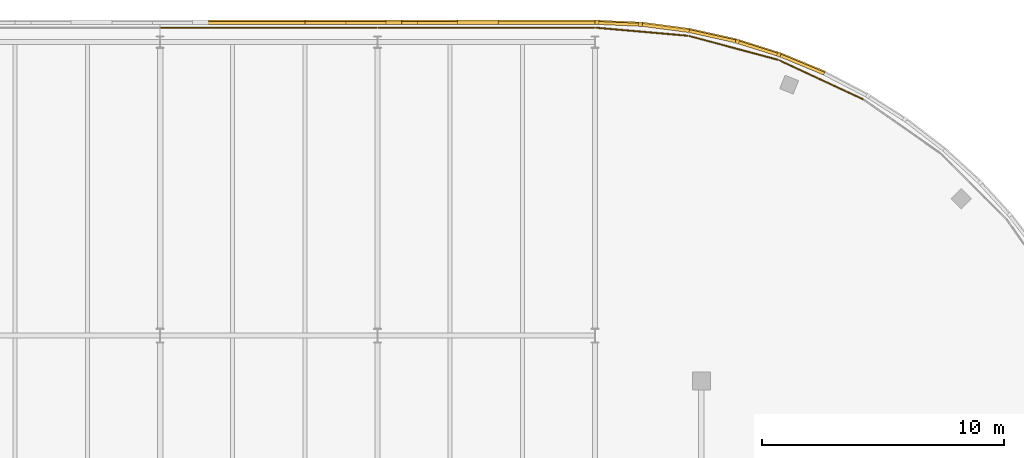
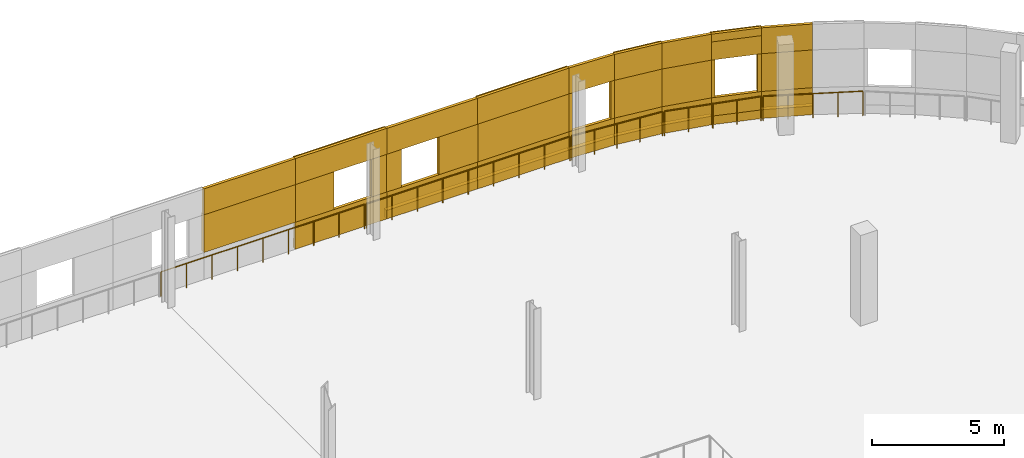
# One storey, part 84 of 88: 42 coverings, 5 railings.
"""IFC4 building model written with IfcOpenShell, lengths in metres."""

from ifc_helpers import new_model, si_unit, direction, frame, origin, origin_2d, place, context, subcontext, project, spatial, rectangle, circle, extrude, material, layer, layer_set, type_object, element, save


model = new_model("IFC4")

# Units and contexts
model_context = context("Model", 3, precision=1e-05, world=origin(), true_north=direction((0.0, 1.0)))
body_context = subcontext(model_context, "Body", "Model", "MODEL_VIEW")
ifc_project = project(units=[si_unit("LENGTHUNIT", "METRE"), si_unit("AREAUNIT", "SQUARE_METRE"), si_unit("VOLUMEUNIT", "CUBIC_METRE"), si_unit("PLANEANGLEUNIT", "RADIAN"), si_unit("MASSUNIT", "GRAM", prefix="KILO")], contexts=[model_context])

# Site, building, storey
site_placement = place(None, origin())
site = spatial("IfcSite", under=ifc_project, at=site_placement, CompositionType="ELEMENT")
building_placement = place(site_placement, origin())
building = spatial("IfcBuilding", under=site, at=building_placement, Name="Deido Ridge Mobility Hub", CompositionType="ELEMENT")
storey_placement = place(building_placement, frame((0.0, 0.0, 16.800048828125)))
storey = spatial("IfcBuildingStorey", under=building, at=storey_placement, Name="L04", CompositionType="ELEMENT", Elevation=16.800048828125)

# Coverings
ifc_material_1 = material(Name="Fired clay brick masonry", Category="masonry")
ifc_layer = layer(ifc_material_1, 0.114990234375, Name="Fired clay brick masonry")
ifc_layer_set = layer_set([ifc_layer], Name="Fired clay brick masonry")
covering_type = type_object("IfcCoveringType", Name="COV-BRK-SCREEN-115", PredefinedType="CLADDING", material=ifc_layer_set)
covering_1_placement = place(storey_placement, frame((125.58203125, 124.218994140625, 0.0), z_axis=(0.0, 0.0, 1.0), x_axis=(-0.923872853285, 0.382699557047, 0.0)))
element("IfcCovering", 1, at=covering_1_placement, inside=storey, type_object=covering_type, Name="Open brickwork spandrel course BKS1 (L04)", PredefinedType="CLADDING", context=body_context, shape_type="SweptSolid", body=[
    extrude(rectangle(XDim=1.9619140625, YDim=0.125, at=origin_2d()), origin(), (0.0, 0.0, 1.0), 1.25),
])
covering_2_placement = place(storey_placement, frame((125.5927734375, 124.244384765625, 0.0), z_axis=(0.0, 0.0, 1.0), x_axis=(-0.923872853285, 0.382699557047, 0.0)))
element("IfcCovering", 2, at=covering_2_placement, inside=storey, type_object=covering_type, Name="Raised brick relief belt BKS1 (L04)", PredefinedType="CLADDING", context=body_context, shape_type="SweptSolid", body=[
    extrude(rectangle(XDim=1.9619140625, YDim=0.179931640625, at=origin_2d()), origin(), (0.0, 0.0, 1.0), 0.39990234375),
])
covering_3_placement = place(storey_placement, frame((125.58203125, 124.218994140625, 3.0), z_axis=(0.0, 0.0, 1.0), x_axis=(-0.923872853285, 0.382699557047, 0.0)))
element("IfcCovering", 3, at=covering_3_placement, inside=storey, type_object=covering_type, Name="Open brickwork lintel course BKS1 (L04)", PredefinedType="CLADDING", context=body_context, shape_type="SweptSolid", body=[
    extrude(rectangle(XDim=1.9619140625, YDim=0.125, at=origin_2d()), origin(), (0.0, 0.0, 1.0), 1.199951171875),
])
covering_4_placement = place(storey_placement, frame((125.58203125, 124.218994140625, 1.25), z_axis=(0.0, 0.0, 1.0), x_axis=(-0.923872853285, 0.382699557047, 0.0)))
element("IfcCovering", 4, at=covering_4_placement, inside=storey, type_object=covering_type, Name="Curved raised brickwork pier BKS1 (L04)", PredefinedType="CLADDING", context=body_context, shape_type="SweptSolid", body=[
    extrude(rectangle(XDim=1.9619140625, YDim=0.125, at=origin_2d()), origin(), (0.0, 0.0, 1.0), 1.75),
])
covering_5_placement = place(storey_placement, frame((123.74365234375, 124.88818359375, 0.0), z_axis=(0.0, 0.0, 1.0), x_axis=(-0.95372744678, 0.300672508319, 0.0)))
element("IfcCovering", 5, at=covering_5_placement, inside=storey, type_object=covering_type, Name="Open brickwork spandrel course BKS1 (L04)", PredefinedType="CLADDING", context=body_context, shape_type="SweptSolid", body=[
    extrude(rectangle(XDim=1.9619140625, YDim=0.125, at=origin_2d()), origin(), (0.0, 0.0, 1.0), 1.25),
])
covering_6_placement = place(storey_placement, frame((123.751953125, 124.914306640625, 0.0), z_axis=(0.0, 0.0, 1.0), x_axis=(-0.95372744678, 0.300672508319, 0.0)))
element("IfcCovering", 6, at=covering_6_placement, inside=storey, type_object=covering_type, Name="Raised brick relief belt BKS1 (L04)", PredefinedType="CLADDING", context=body_context, shape_type="SweptSolid", body=[
    extrude(rectangle(XDim=1.9619140625, YDim=0.179931640625, at=origin_2d()), origin(), (0.0, 0.0, 1.0), 0.39990234375),
])
covering_7_placement = place(storey_placement, frame((123.74365234375, 124.88818359375, 3.0), z_axis=(0.0, 0.0, 1.0), x_axis=(-0.95372744678, 0.300672508319, 0.0)))
element("IfcCovering", 7, at=covering_7_placement, inside=storey, type_object=covering_type, Name="Open brickwork lintel course BKS1 (L04)", PredefinedType="CLADDING", context=body_context, shape_type="SweptSolid", body=[
    extrude(rectangle(XDim=1.9619140625, YDim=0.125, at=origin_2d()), origin(), (0.0, 0.0, 1.0), 1.199951171875),
])
covering_8_placement = place(storey_placement, frame((123.751953125, 124.914306640625, 3.83984375), z_axis=(0.0, 0.0, 1.0), x_axis=(-0.95372744678, 0.300672508319, 0.0)))
element("IfcCovering", 8, at=covering_8_placement, inside=storey, type_object=covering_type, Name="Raised brick relief cornice BKS1 (L04)", PredefinedType="CLADDING", context=body_context, shape_type="SweptSolid", body=[
    extrude(rectangle(XDim=1.9619140625, YDim=0.179931640625, at=origin_2d()), origin(), (0.0, 0.0, 1.0), 0.360107421875),
])
for number, where, z_axis, x_axis, name in (
    (9, (124.611328125, 124.6435546875, 1.25), (0.0, 0.0, 1.0), (-0.95372744678, 0.300672508319, 0.0), "Curved brick jamb nib BKS1 (L04)"),
    (10, (122.892578125, 125.185302734375, 1.25), (0.0, 0.0, 1.0), (-0.95372744678, 0.300672508319, 0.0), "Curved brick jamb nib BKS1 (L04)"),
):
    element("IfcCovering", number, at=place(storey_placement, frame(where, z_axis=z_axis, x_axis=x_axis)), inside=storey, type_object=covering_type, Name=name, PredefinedType="CLADDING", context=body_context, shape_type="SweptSolid", body=[
        extrude(rectangle(XDim=0.152099609375, YDim=0.179931640625, at=origin_2d()), origin(), (0.0, 0.0, 1.0), 1.75),
    ])
covering_9_placement = place(storey_placement, frame((121.85400390625, 125.39453125, 0.0), z_axis=(0.0, 0.0, 1.0), x_axis=(-0.976292229387, 0.216456653485, 0.0)))
element("IfcCovering", 11, at=covering_9_placement, inside=storey, type_object=covering_type, Name="Open brickwork spandrel course BKS1 (L04)", PredefinedType="CLADDING", context=body_context, shape_type="SweptSolid", body=[
    extrude(rectangle(XDim=1.9619140625, YDim=0.125, at=origin_2d()), origin(), (0.0, 0.0, 1.0), 1.25),
])
covering_10_placement = place(storey_placement, frame((121.85986328125, 125.42138671875, 0.0), z_axis=(0.0, 0.0, 1.0), x_axis=(-0.976292229387, 0.216456653485, 0.0)))
element("IfcCovering", 12, at=covering_10_placement, inside=storey, type_object=covering_type, Name="Raised brick relief belt BKS1 (L04)", PredefinedType="CLADDING", context=body_context, shape_type="SweptSolid", body=[
    extrude(rectangle(XDim=1.9619140625, YDim=0.179931640625, at=origin_2d()), origin(), (0.0, 0.0, 1.0), 0.39990234375),
])
covering_11_placement = place(storey_placement, frame((121.85400390625, 125.39453125, 3.0), z_axis=(0.0, 0.0, 1.0), x_axis=(-0.976292229387, 0.216456653485, 0.0)))
element("IfcCovering", 13, at=covering_11_placement, inside=storey, type_object=covering_type, Name="Open brickwork lintel course BKS1 (L04)", PredefinedType="CLADDING", context=body_context, shape_type="SweptSolid", body=[
    extrude(rectangle(XDim=1.9619140625, YDim=0.125, at=origin_2d()), origin(), (0.0, 0.0, 1.0), 1.199951171875),
])
covering_12_placement = place(storey_placement, frame((121.85400390625, 125.39453125, 1.25), z_axis=(0.0, 0.0, 1.0), x_axis=(-0.976292229387, 0.216456653485, 0.0)))
element("IfcCovering", 14, at=covering_12_placement, inside=storey, type_object=covering_type, Name="Curved raised brickwork pier BKS1 (L04)", PredefinedType="CLADDING", context=body_context, shape_type="SweptSolid", body=[
    extrude(rectangle(XDim=1.9619140625, YDim=0.125, at=origin_2d()), origin(), (0.0, 0.0, 1.0), 1.75),
])
covering_13_placement = place(storey_placement, frame((119.92724609375, 125.734375, 0.0), z_axis=(0.0, 0.0, 1.0), x_axis=(-0.991442583111, 0.130543496177, 0.0)))
element("IfcCovering", 15, at=covering_13_placement, inside=storey, type_object=covering_type, Name="Open brickwork spandrel course BKS1 (L04)", PredefinedType="CLADDING", context=body_context, shape_type="SweptSolid", body=[
    extrude(rectangle(XDim=1.9619140625, YDim=0.125, at=origin_2d()), origin(), (0.0, 0.0, 1.0), 1.25),
])
covering_14_placement = place(storey_placement, frame((119.930908203125, 125.76171875, 0.0), z_axis=(0.0, 0.0, 1.0), x_axis=(-0.991442583111, 0.130543496177, 0.0)))
element("IfcCovering", 16, at=covering_14_placement, inside=storey, type_object=covering_type, Name="Raised brick relief belt BKS1 (L04)", PredefinedType="CLADDING", context=body_context, shape_type="SweptSolid", body=[
    extrude(rectangle(XDim=1.9619140625, YDim=0.179931640625, at=origin_2d()), origin(), (0.0, 0.0, 1.0), 0.39990234375),
])
covering_15_placement = place(storey_placement, frame((119.92724609375, 125.734375, 3.0), z_axis=(0.0, 0.0, 1.0), x_axis=(-0.991442583111, 0.130543496177, 0.0)))
element("IfcCovering", 17, at=covering_15_placement, inside=storey, type_object=covering_type, Name="Open brickwork lintel course BKS1 (L04)", PredefinedType="CLADDING", context=body_context, shape_type="SweptSolid", body=[
    extrude(rectangle(XDim=1.9619140625, YDim=0.125, at=origin_2d()), origin(), (0.0, 0.0, 1.0), 1.199951171875),
])
covering_16_placement = place(storey_placement, frame((119.930908203125, 125.76171875, 3.83984375), z_axis=(0.0, 0.0, 1.0), x_axis=(-0.991442583111, 0.130543496177, 0.0)))
element("IfcCovering", 18, at=covering_16_placement, inside=storey, type_object=covering_type, Name="Raised brick relief cornice BKS1 (L04)", PredefinedType="CLADDING", context=body_context, shape_type="SweptSolid", body=[
    extrude(rectangle(XDim=1.9619140625, YDim=0.179931640625, at=origin_2d()), origin(), (0.0, 0.0, 1.0), 0.360107421875),
])
covering_17_placement = place(storey_placement, frame((119.930908203125, 125.76171875, 1.25), z_axis=(0.0, 0.0, 1.0), x_axis=(-0.991442583111, 0.130543496177, 0.0)))
element("IfcCovering", 19, at=covering_17_placement, inside=storey, type_object=covering_type, Name="Curved raised brickwork pier BKS1 (L04)", PredefinedType="CLADDING", context=body_context, shape_type="SweptSolid", body=[
    extrude(rectangle(XDim=1.9619140625, YDim=0.179931640625, at=origin_2d()), origin(), (0.0, 0.0, 1.0), 1.75),
])
covering_18_placement = place(storey_placement, frame((117.978271484375, 125.90478515625, 0.0), z_axis=(0.0, 0.0, 1.0), x_axis=(-0.999048982732, 0.043601950678, 0.0)))
element("IfcCovering", 20, at=covering_18_placement, inside=storey, type_object=covering_type, Name="Open brickwork spandrel course BKS1 (L04)", PredefinedType="CLADDING", context=body_context, shape_type="SweptSolid", body=[
    extrude(rectangle(XDim=1.9619140625, YDim=0.125, at=origin_2d()), origin(), (0.0, 0.0, 1.0), 1.25),
])
covering_19_placement = place(storey_placement, frame((117.9794921875, 125.932373046875, 0.0), z_axis=(0.0, 0.0, 1.0), x_axis=(-0.999048982732, 0.043601950678, 0.0)))
element("IfcCovering", 21, at=covering_19_placement, inside=storey, type_object=covering_type, Name="Raised brick relief belt BKS1 (L04)", PredefinedType="CLADDING", context=body_context, shape_type="SweptSolid", body=[
    extrude(rectangle(XDim=1.9619140625, YDim=0.179931640625, at=origin_2d()), origin(), (0.0, 0.0, 1.0), 0.39990234375),
])
covering_20_placement = place(storey_placement, frame((117.978271484375, 125.90478515625, 3.0), z_axis=(0.0, 0.0, 1.0), x_axis=(-0.999048982732, 0.043601950678, 0.0)))
element("IfcCovering", 22, at=covering_20_placement, inside=storey, type_object=covering_type, Name="Open brickwork lintel course BKS1 (L04)", PredefinedType="CLADDING", context=body_context, shape_type="SweptSolid", body=[
    extrude(rectangle(XDim=1.9619140625, YDim=0.125, at=origin_2d()), origin(), (0.0, 0.0, 1.0), 1.199951171875),
])
for number, where, z_axis, x_axis, name in (
    (23, (118.879638671875, 125.89306640625, 1.25), (0.0, 0.0, 1.0), (-0.999048982732, 0.043601950678, 0.0), "Curved brick jamb nib BKS1 (L04)"),
    (24, (117.0791015625, 125.9716796875, 1.25), (0.0, 0.0, 1.0), (-0.999048982732, 0.043601950678, 0.0), "Curved brick jamb nib BKS1 (L04)"),
):
    element("IfcCovering", number, at=place(storey_placement, frame(where, z_axis=z_axis, x_axis=x_axis)), inside=storey, type_object=covering_type, Name=name, PredefinedType="CLADDING", context=body_context, shape_type="SweptSolid", body=[
        extrude(rectangle(XDim=0.152099609375, YDim=0.179931640625, at=origin_2d()), origin(), (0.0, 0.0, 1.0), 1.75),
    ])
covering_21_placement = place(storey_placement, frame((115.0, 125.947509765625, 0.0), z_axis=(0.0, 0.0, 1.0), x_axis=(-1.0, 0.0, 0.0)))
element("IfcCovering", 25, at=covering_21_placement, inside=storey, type_object=covering_type, Name="Open brickwork spandrel course BKS1 (L04)", PredefinedType="CLADDING", context=body_context, shape_type="SweptSolid", body=[
    extrude(rectangle(XDim=4.01611328125, YDim=0.125, at=origin_2d()), origin(), (0.0, 0.0, 1.0), 1.25),
])
covering_22_placement = place(storey_placement, frame((115.0, 125.97509765625, 0.0), z_axis=(0.0, 0.0, 1.0), x_axis=(-1.0, 0.0, 0.0)))
element("IfcCovering", 26, at=covering_22_placement, inside=storey, type_object=covering_type, Name="Raised brick relief belt BKS1 (L04)", PredefinedType="CLADDING", context=body_context, shape_type="SweptSolid", body=[
    extrude(rectangle(XDim=4.01611328125, YDim=0.179931640625, at=origin_2d()), origin(), (0.0, 0.0, 1.0), 0.39990234375),
])
covering_23_placement = place(storey_placement, frame((115.0, 125.947509765625, 3.0), z_axis=(0.0, 0.0, 1.0), x_axis=(-1.0, 0.0, 0.0)))
element("IfcCovering", 27, at=covering_23_placement, inside=storey, type_object=covering_type, Name="Open brickwork lintel course BKS1 (L04)", PredefinedType="CLADDING", context=body_context, shape_type="SweptSolid", body=[
    extrude(rectangle(XDim=4.01611328125, YDim=0.125, at=origin_2d()), origin(), (0.0, 0.0, 1.0), 1.199951171875),
])
covering_24_placement = place(storey_placement, frame((115.0, 125.97509765625, 3.83984375), z_axis=(0.0, 0.0, 1.0), x_axis=(-1.0, 0.0, 0.0)))
element("IfcCovering", 28, at=covering_24_placement, inside=storey, type_object=covering_type, Name="Raised brick relief cornice BKS1 (L04)", PredefinedType="CLADDING", context=body_context, shape_type="SweptSolid", body=[
    extrude(rectangle(XDim=4.01611328125, YDim=0.179931640625, at=origin_2d()), origin(), (0.0, 0.0, 1.0), 0.360107421875),
])
covering_25_placement = place(storey_placement, frame((115.0, 125.97509765625, 1.25), z_axis=(0.0, 0.0, 1.0), x_axis=(-1.0, 0.0, 0.0)))
element("IfcCovering", 29, at=covering_25_placement, inside=storey, type_object=covering_type, Name="Raised brick relief panel BKS1 (L04)", PredefinedType="CLADDING", context=body_context, shape_type="SweptSolid", body=[
    extrude(rectangle(XDim=4.008056640625, YDim=0.179931640625, at=origin_2d()), origin(), (0.0, 0.0, 1.0), 1.75),
])
covering_26_placement = place(storey_placement, frame((111.0, 125.947509765625, 0.0), z_axis=(0.0, 0.0, 1.0), x_axis=(-1.0, 0.0, 0.0)))
element("IfcCovering", 30, at=covering_26_placement, inside=storey, type_object=covering_type, Name="Open brickwork spandrel course BKS1 (L04)", PredefinedType="CLADDING", context=body_context, shape_type="SweptSolid", body=[
    extrude(rectangle(XDim=4.01611328125, YDim=0.125, at=origin_2d()), origin(), (0.0, 0.0, 1.0), 1.25),
])
covering_27_placement = place(storey_placement, frame((111.0, 125.97509765625, 0.0), z_axis=(0.0, 0.0, 1.0), x_axis=(-1.0, 0.0, 0.0)))
element("IfcCovering", 31, at=covering_27_placement, inside=storey, type_object=covering_type, Name="Raised brick relief belt BKS1 (L04)", PredefinedType="CLADDING", context=body_context, shape_type="SweptSolid", body=[
    extrude(rectangle(XDim=4.01611328125, YDim=0.179931640625, at=origin_2d()), origin(), (0.0, 0.0, 1.0), 0.39990234375),
])
covering_28_placement = place(storey_placement, frame((111.0, 125.947509765625, 3.0), z_axis=(0.0, 0.0, 1.0), x_axis=(-1.0, 0.0, 0.0)))
element("IfcCovering", 32, at=covering_28_placement, inside=storey, type_object=covering_type, Name="Open brickwork lintel course BKS1 (L04)", PredefinedType="CLADDING", context=body_context, shape_type="SweptSolid", body=[
    extrude(rectangle(XDim=4.01611328125, YDim=0.125, at=origin_2d()), origin(), (0.0, 0.0, 1.0), 1.199951171875),
])
covering_29_placement = place(storey_placement, frame((112.152587890625, 125.97509765625, 1.25), z_axis=(0.0, 0.0, 1.0), x_axis=(-1.0, 0.0, 0.0)))
element("IfcCovering", 33, at=covering_29_placement, inside=storey, type_object=covering_type, Name="Open brickwork pier BKS1 (L04)", PredefinedType="CLADDING", context=body_context, shape_type="SweptSolid", body=[
    extrude(rectangle(XDim=1.695068359375, YDim=0.179931640625, at=origin_2d()), origin(), (0.0, 0.0, 1.0), 1.75),
])
covering_30_placement = place(storey_placement, frame((109.327392578125, 125.947509765625, 1.25), z_axis=(0.0, 0.0, 1.0), x_axis=(-1.0, 0.0, 0.0)))
element("IfcCovering", 34, at=covering_30_placement, inside=storey, type_object=covering_type, Name="Open brickwork pier BKS1 (L04)", PredefinedType="CLADDING", context=body_context, shape_type="SweptSolid", body=[
    extrude(rectangle(XDim=0.655029296875, YDim=0.125, at=origin_2d()), origin(), (0.0, 0.0, 1.0), 1.75),
])
covering_31_placement = place(storey_placement, frame((107.0, 125.947509765625, 0.0), z_axis=(0.0, 0.0, 1.0), x_axis=(-1.0, 0.0, 0.0)))
element("IfcCovering", 35, at=covering_31_placement, inside=storey, type_object=covering_type, Name="Open brickwork spandrel course BKS1 (L04)", PredefinedType="CLADDING", context=body_context, shape_type="SweptSolid", body=[
    extrude(rectangle(XDim=4.01611328125, YDim=0.125, at=origin_2d()), origin(), (0.0, 0.0, 1.0), 1.25),
])
covering_32_placement = place(storey_placement, frame((107.0, 125.97509765625, 0.0), z_axis=(0.0, 0.0, 1.0), x_axis=(-1.0, 0.0, 0.0)))
element("IfcCovering", 36, at=covering_32_placement, inside=storey, type_object=covering_type, Name="Raised brick relief belt BKS1 (L04)", PredefinedType="CLADDING", context=body_context, shape_type="SweptSolid", body=[
    extrude(rectangle(XDim=4.01611328125, YDim=0.179931640625, at=origin_2d()), origin(), (0.0, 0.0, 1.0), 0.39990234375),
])
covering_33_placement = place(storey_placement, frame((107.0, 125.947509765625, 3.0), z_axis=(0.0, 0.0, 1.0), x_axis=(-1.0, 0.0, 0.0)))
element("IfcCovering", 37, at=covering_33_placement, inside=storey, type_object=covering_type, Name="Open brickwork lintel course BKS1 (L04)", PredefinedType="CLADDING", context=body_context, shape_type="SweptSolid", body=[
    extrude(rectangle(XDim=4.01611328125, YDim=0.125, at=origin_2d()), origin(), (0.0, 0.0, 1.0), 1.199951171875),
])
covering_34_placement = place(storey_placement, frame((107.0, 125.97509765625, 3.83984375), z_axis=(0.0, 0.0, 1.0), x_axis=(-1.0, 0.0, 0.0)))
element("IfcCovering", 38, at=covering_34_placement, inside=storey, type_object=covering_type, Name="Raised brick relief cornice BKS1 (L04)", PredefinedType="CLADDING", context=body_context, shape_type="SweptSolid", body=[
    extrude(rectangle(XDim=4.01611328125, YDim=0.179931640625, at=origin_2d()), origin(), (0.0, 0.0, 1.0), 0.360107421875),
])
covering_35_placement = place(storey_placement, frame((108.672607421875, 125.97509765625, 1.25), z_axis=(0.0, 0.0, 1.0), x_axis=(-1.0, 0.0, 0.0)))
element("IfcCovering", 39, at=covering_35_placement, inside=storey, type_object=covering_type, Name="Open brickwork pier BKS1 (L04)", PredefinedType="CLADDING", context=body_context, shape_type="SweptSolid", body=[
    extrude(rectangle(XDim=0.655029296875, YDim=0.179931640625, at=origin_2d()), origin(), (0.0, 0.0, 1.0), 1.75),
])
covering_36_placement = place(storey_placement, frame((105.847412109375, 125.947509765625, 1.25), z_axis=(0.0, 0.0, 1.0), x_axis=(-1.0, 0.0, 0.0)))
element("IfcCovering", 40, at=covering_36_placement, inside=storey, type_object=covering_type, Name="Open brickwork pier BKS1 (L04)", PredefinedType="CLADDING", context=body_context, shape_type="SweptSolid", body=[
    extrude(rectangle(XDim=1.695068359375, YDim=0.125, at=origin_2d()), origin(), (0.0, 0.0, 1.0), 1.75),
])
covering_37_placement = place(storey_placement, frame((103.0, 125.947509765625, 3.0), z_axis=(0.0, 0.0, 1.0), x_axis=(-1.0, 0.0, 0.0)))
element("IfcCovering", 41, at=covering_37_placement, inside=storey, type_object=covering_type, Name="Open brickwork lintel course BKS1 (L04)", PredefinedType="CLADDING", context=body_context, shape_type="SweptSolid", body=[
    extrude(rectangle(XDim=4.01611328125, YDim=0.125, at=origin_2d()), origin(), (0.0, 0.0, 1.0), 1.199951171875),
])
covering_38_placement = place(storey_placement, frame((103.0, 125.97509765625, 1.25), z_axis=(0.0, 0.0, 1.0), x_axis=(-1.0, 0.0, 0.0)))
element("IfcCovering", 42, at=covering_38_placement, inside=storey, type_object=covering_type, Name="Raised brick relief panel BKS1 (L04)", PredefinedType="CLADDING", context=body_context, shape_type="SweptSolid", body=[
    extrude(rectangle(XDim=4.008056640625, YDim=0.179931640625, at=origin_2d()), origin(), (0.0, 0.0, 1.0), 1.75),
])

# Railings
ifc_material_2 = material(Name="Galvanised steel work", Category="steel")
railing_type = type_object("IfcRailingType", Name="RL-GRD-EXT-1150", PredefinedType="GUARDRAIL", material=ifc_material_2)
railing_1_placement = place(storey_placement, frame((128.088623046875, 122.785888671875, 0.0)))
element("IfcRailing", 43, at=railing_1_placement, inside=storey, type_object=railing_type, Name="Parking drum perimeter guard (L04)", PredefinedType="GUARDRAIL", context=body_context, shape_type="SweptSolid", body=[
    extrude(circle(Radius=0.02392578125, at=origin_2d()), frame((0.0, 0.0, 1.1259765625), z_axis=(-0.906281639574, 0.422674330627, 0.0), x_axis=(-0.422674330627, -0.906281639574, 0.0)), (0.0, 0.0, 1.0), 3.79833984375),
    extrude(circle(Radius=0.02099609375, at=origin_2d()), origin(), (0.0, 0.0, 1.0), 1.101806640625),
    extrude(circle(Radius=0.02099609375, at=origin_2d()), frame((-0.860595703125, 0.4013671875, 0.0)), (0.0, 0.0, 1.0), 1.101806640625),
    extrude(circle(Radius=0.02099609375, at=origin_2d()), frame((-1.72119140625, 0.802734375, 0.0)), (0.0, 0.0, 1.0), 1.101806640625),
    extrude(circle(Radius=0.02099609375, at=origin_2d()), frame((-2.581787109375, 1.2041015625, 0.0)), (0.0, 0.0, 1.0), 1.101806640625),
    extrude(circle(Radius=0.02099609375, at=origin_2d()), frame((-3.4423828125, 1.60546875, 0.0)), (0.0, 0.0, 1.0), 1.101806640625),
])
railing_2_placement = place(storey_placement, frame((124.5712890625, 124.418701171875, 0.0)))
element("IfcRailing", 44, at=railing_2_placement, inside=storey, type_object=railing_type, Name="Parking drum perimeter guard (L04)", PredefinedType="GUARDRAIL", context=body_context, shape_type="SweptSolid", body=[
    extrude(circle(Radius=0.02392578125, at=origin_2d()), frame((0.0, 0.0, 1.1259765625), z_axis=(-0.965937723757, 0.258774639064, 0.0), x_axis=(-0.258774639064, -0.965937723757, 0.0)), (0.0, 0.0, 1.0), 3.79833984375),
    extrude(circle(Radius=0.02099609375, at=origin_2d()), origin(), (0.0, 0.0, 1.0), 1.101806640625),
    extrude(circle(Radius=0.02099609375, at=origin_2d()), frame((-0.917236328125, 0.24560546875, 0.0)), (0.0, 0.0, 1.0), 1.101806640625),
    extrude(circle(Radius=0.02099609375, at=origin_2d()), frame((-1.83447265625, 0.491455078125, 0.0)), (0.0, 0.0, 1.0), 1.101806640625),
    extrude(circle(Radius=0.02099609375, at=origin_2d()), frame((-2.751708984375, 0.7373046875, 0.0)), (0.0, 0.0, 1.0), 1.101806640625),
    extrude(circle(Radius=0.02099609375, at=origin_2d()), frame((-3.6689453125, 0.98291015625, 0.0)), (0.0, 0.0, 1.0), 1.101806640625),
])
railing_3_placement = place(storey_placement, frame((120.823974609375, 125.41552734375, 0.0)))
element("IfcRailing", 45, at=railing_3_placement, inside=storey, type_object=railing_type, Name="Parking drum perimeter guard (L04)", PredefinedType="GUARDRAIL", context=body_context, shape_type="SweptSolid", body=[
    extrude(circle(Radius=0.02392578125, at=origin_2d()), frame((0.0, 0.0, 1.1259765625), z_axis=(-0.996195112607, 0.08715100469, 0.0), x_axis=(-0.08715100469, -0.996195112607, 0.0)), (0.0, 0.0, 1.0), 3.798583984375),
    extrude(circle(Radius=0.02099609375, at=origin_2d()), origin(), (0.0, 0.0, 1.0), 1.101806640625),
    extrude(circle(Radius=0.02099609375, at=origin_2d()), frame((-0.946044921875, 0.082763671875, 0.0)), (0.0, 0.0, 1.0), 1.101806640625),
    extrude(circle(Radius=0.02099609375, at=origin_2d()), frame((-1.89208984375, 0.16552734375, 0.0)), (0.0, 0.0, 1.0), 1.101806640625),
    extrude(circle(Radius=0.02099609375, at=origin_2d()), frame((-2.838134765625, 0.248291015625, 0.0)), (0.0, 0.0, 1.0), 1.101806640625),
    extrude(circle(Radius=0.02099609375, at=origin_2d()), frame((-3.7841796875, 0.3310546875, 0.0)), (0.0, 0.0, 1.0), 1.101806640625),
])
for number, where, name in (
    (46, (116.9599609375, 125.75, 0.0), "Parking drum perimeter guard (L04)"),
    (47, (107.9599609375, 125.75, 0.0), "Parking drum perimeter guard (L04)"),
):
    element("IfcRailing", number, at=place(storey_placement, frame(where)), inside=storey, type_object=railing_type, Name=name, PredefinedType="GUARDRAIL", context=body_context, shape_type="SweptSolid", body=[
        extrude(circle(Radius=0.02392578125, at=origin_2d()), frame((0.0, 0.0, 1.1259765625), z_axis=(-1.0, 0.0, 0.0), x_axis=(0.0, -1.0, 0.0)), (0.0, 0.0, 1.0), 8.919921875),
        extrude(circle(Radius=0.02099609375, at=origin_2d()), origin(), (0.0, 0.0, 1.0), 1.101806640625),
        extrude(circle(Radius=0.02099609375, at=origin_2d()), frame((-1.114990234375, 0.0, 0.0)), (0.0, 0.0, 1.0), 1.101806640625),
        extrude(circle(Radius=0.02099609375, at=origin_2d()), frame((-2.22998046875, 0.0, 0.0)), (0.0, 0.0, 1.0), 1.101806640625),
        extrude(circle(Radius=0.02099609375, at=origin_2d()), frame((-3.344970703125, 0.0, 0.0)), (0.0, 0.0, 1.0), 1.101806640625),
        extrude(circle(Radius=0.02099609375, at=origin_2d()), frame((-4.4599609375, 0.0, 0.0)), (0.0, 0.0, 1.0), 1.101806640625),
        extrude(circle(Radius=0.02099609375, at=origin_2d()), frame((-5.574951171875, 0.0, 0.0)), (0.0, 0.0, 1.0), 1.101806640625),
        extrude(circle(Radius=0.02099609375, at=origin_2d()), frame((-6.68994140625, 0.0, 0.0)), (0.0, 0.0, 1.0), 1.101806640625),
        extrude(circle(Radius=0.02099609375, at=origin_2d()), frame((-7.804931640625, 0.0, 0.0)), (0.0, 0.0, 1.0), 1.101806640625),
        extrude(circle(Radius=0.02099609375, at=origin_2d()), frame((-8.919921875, 0.0, 0.0)), (0.0, 0.0, 1.0), 1.101806640625),
    ])

save(model, "model.ifc")
